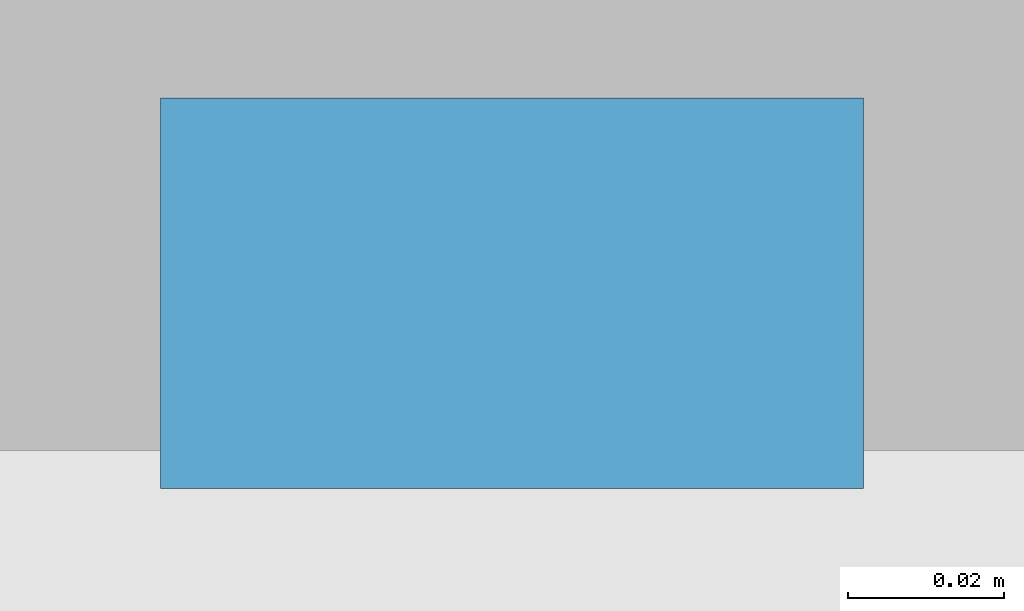
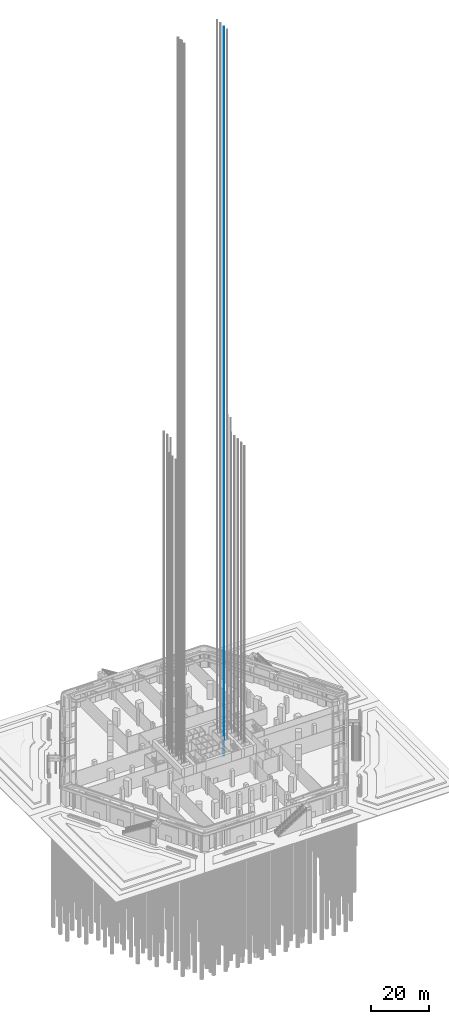
# One storey, part 47 of 68: 1 discrete accessory.
"""IFC4 building model written with IfcOpenShell, lengths in metres."""

from ifc_helpers import new_model, si_unit, direction, frame, origin, origin_2d, place, context, subcontext, project, spatial, rectangle, extrude, element, save


model = new_model("IFC4")

# Units and contexts
model_context = context("Model", 3, precision=1e-05, world=origin(), true_north=direction((0.0, 1.0)))
body_context = subcontext(model_context, "Body", "Model", "MODEL_VIEW")
ifc_project = project(units=[si_unit("LENGTHUNIT", "METRE"), si_unit("AREAUNIT", "SQUARE_METRE"), si_unit("VOLUMEUNIT", "CUBIC_METRE"), si_unit("PLANEANGLEUNIT", "RADIAN"), si_unit("MASSUNIT", "GRAM", prefix="KILO")], contexts=[model_context])

# Site, building, storey
site_placement = place(None, origin())
site = spatial("IfcSite", under=ifc_project, at=site_placement, CompositionType="ELEMENT")
building_placement = place(site_placement, origin())
building = spatial("IfcBuilding", under=site, at=building_placement, Name="Kolab Exchange Tower", CompositionType="ELEMENT")
storey_placement = place(building_placement, origin())
storey = spatial("IfcBuildingStorey", under=building, at=storey_placement, Name="L00", CompositionType="ELEMENT", Elevation=0.0)

# Discrete accessory
discrete_accessory_placement = place(storey_placement, frame((7.800048828125, -0.1298828125, -1.599853515625), z_axis=(0.0, 0.0, 1.0), x_axis=(1.0, 0.0, 0.0)))
element("IfcDiscreteAccessory", 1, at=discrete_accessory_placement, inside=storey, Name="Guide rail SV1-2", ObjectType="GUIDE RAIL", PredefinedType="USERDEFINED", context=body_context, shape_type="SweptSolid", body=[
    extrude(rectangle(XDim=0.090087890625, YDim=0.050048828125, at=origin_2d()), origin(), (0.0, 0.0, 1.0), 307.89990234375),
])

save(model, "model.ifc")
